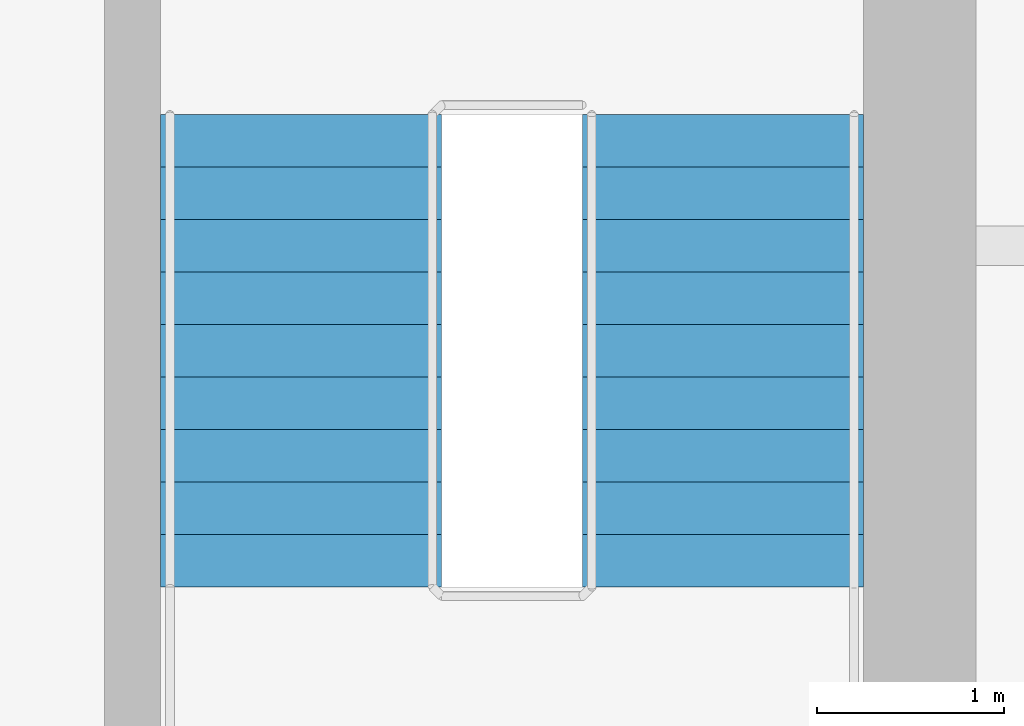
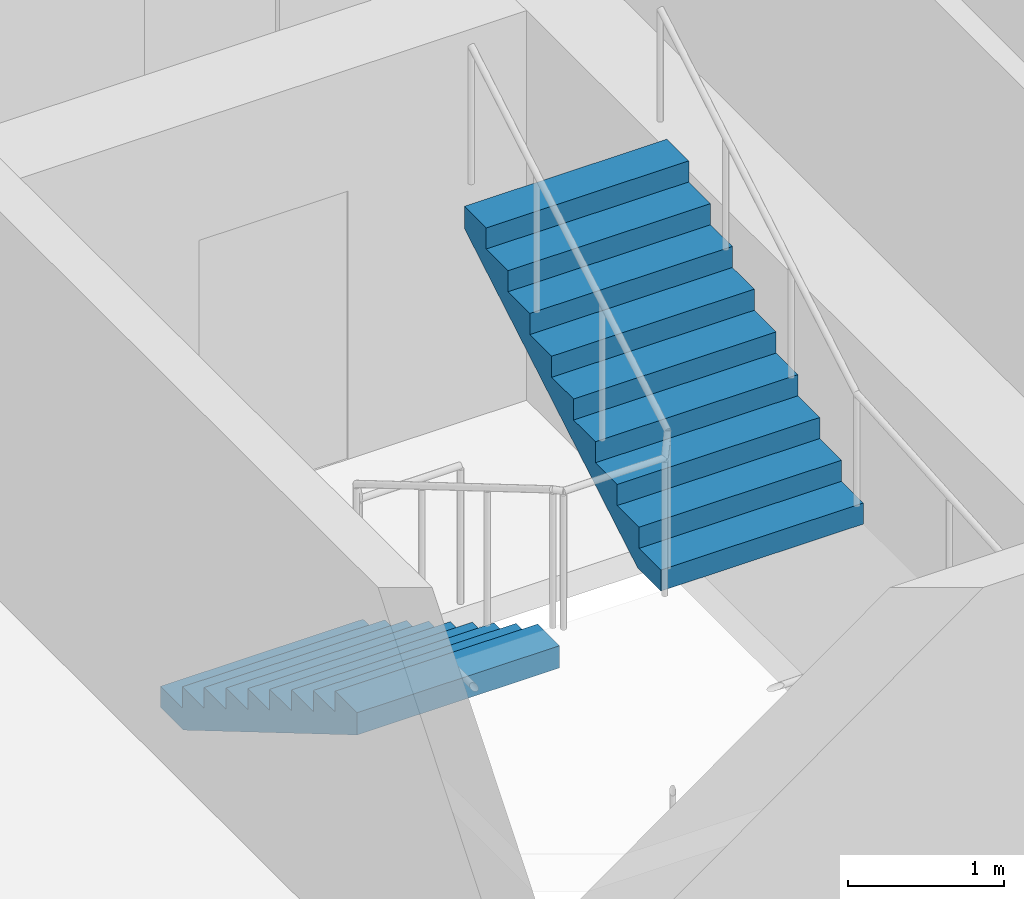
# One storey, part 8 of 11: 2 stair flights, 1 element without a shape of its own.
"""IFC4 building model written with IfcOpenShell, lengths in metres."""

from ifc_helpers import new_model, si_unit, direction, frame, origin, place, context, subcontext, project, spatial, polyline, outline, extrude, material, type_object, element, aggregate, save


model = new_model("IFC4")

# Units and contexts
model_context = context("Model", 3, precision=1e-05, world=origin(), true_north=direction((0.0, 1.0)))
body_context = subcontext(model_context, "Body", "Model", "MODEL_VIEW")
ifc_project = project(units=[si_unit("LENGTHUNIT", "METRE"), si_unit("AREAUNIT", "SQUARE_METRE"), si_unit("VOLUMEUNIT", "CUBIC_METRE"), si_unit("PLANEANGLEUNIT", "RADIAN"), si_unit("MASSUNIT", "GRAM", prefix="KILO")], contexts=[model_context])

# Site, building, storey
site_placement = place(None, origin())
site = spatial("IfcSite", under=ifc_project, at=site_placement, CompositionType="ELEMENT")
building_placement = place(site_placement, origin())
building = spatial("IfcBuilding", under=site, at=building_placement, Name="Amberfall Residences", CompositionType="ELEMENT")
storey_placement = place(building_placement, frame((0.0, 0.0, 223.300048828125)))
storey = spatial("IfcBuildingStorey", under=building, at=storey_placement, Name="L60", CompositionType="ELEMENT", Elevation=223.300048828125)

# Stair, stair flights
ifc_material = material(Name="Concrete C40", Category="concrete")
stair_type = type_object("IfcStairType", Name="Exit stair 20 risers 165.0 mm", PredefinedType="HALF_TURN_STAIR", material=ifc_material)
stair_placement = place(storey_placement, origin())
stair = element("IfcStair", 1, at=stair_placement, inside=storey, type_object=stair_type, Name="L60 Exit stair 3", PredefinedType="HALF_TURN_STAIR")
stair_flight_type = type_object("IfcStairFlightType", Name="Stair flight 10 risers 165.0 mm", PredefinedType="STRAIGHT", material=ifc_material)
stair_flight_1_placement = place(storey_placement, frame((82.89990234375, 55.10009765625, 0.0), z_axis=(0.0, 0.0, 1.0), x_axis=(0.0, -1.0, 0.0)))
stair_flight_1 = element("IfcStairFlight", 2, at=stair_flight_1_placement, type_object=stair_flight_type, Name="ST3 flight 1", NumberOfRisers=10, NumberOfTreads=9, PredefinedType="STRAIGHT", RiserHeight=0.165, TreadLength=0.28, context=body_context, shape_type="SweptSolid", body=[
    extrude(outline(polyline([(0.0, 0.0), (0.0, 0.1650390625), (0.280029296875, 0.1650390625), (0.280029296875, 0.330078125), (0.56005859375, 0.330078125), (0.56005859375, 0.4951171875), (0.840087890625, 0.4951171875), (0.840087890625, 0.659912109375), (1.1201171875, 0.659912109375), (1.1201171875, 0.824951171875), (1.39990234375, 0.824951171875), (1.39990234375, 0.989990234375), (1.679931640625, 0.989990234375), (1.679931640625, 1.155029296875), (1.9599609375, 1.155029296875), (1.9599609375, 1.320068359375), (2.239990234375, 1.320068359375), (2.239990234375, 1.485107421875), (2.52001953125, 1.485107421875), (2.52001953125, 1.64990234375), (2.52001953125, 1.31103515625), (0.295166015625, 0.0), (0.0, 0.0)])), frame((0.0, 0.75, 0.0), z_axis=(0.0, -1.0, 0.0), x_axis=(1.0, 0.0, 0.0)), (0.0, 0.0, 1.0), 1.5),
])
stair_flight_2_placement = place(storey_placement, frame((85.14990234375, 52.580078125, 1.64990234375), z_axis=(0.0, 0.0, 1.0), x_axis=(0.0, 1.0, 0.0)))
stair_flight_2 = element("IfcStairFlight", 3, at=stair_flight_2_placement, type_object=stair_flight_type, Name="ST3 flight 2", NumberOfRisers=10, NumberOfTreads=9, PredefinedType="STRAIGHT", RiserHeight=0.165, TreadLength=0.28, context=body_context, shape_type="SweptSolid", body=[
    extrude(outline(polyline([(0.0, 0.0), (0.0, 0.1650390625), (0.280029296875, 0.1650390625), (0.280029296875, 0.330078125), (0.56005859375, 0.330078125), (0.56005859375, 0.4951171875), (0.840087890625, 0.4951171875), (0.840087890625, 0.659912109375), (1.1201171875, 0.659912109375), (1.1201171875, 0.824951171875), (1.39990234375, 0.824951171875), (1.39990234375, 0.989990234375), (1.679931640625, 0.989990234375), (1.679931640625, 1.155029296875), (1.9599609375, 1.155029296875), (1.9599609375, 1.320068359375), (2.239990234375, 1.320068359375), (2.239990234375, 1.485107421875), (2.52001953125, 1.485107421875), (2.52001953125, 1.64990234375), (2.52001953125, 1.31103515625), (0.295166015625, 0.0), (0.0, 0.0)])), frame((0.0, 0.75, 0.0), z_axis=(0.0, -1.0, 0.0), x_axis=(1.0, 0.0, 0.0)), (0.0, 0.0, 1.0), 1.5),
])
aggregate(stair, [stair_flight_1, stair_flight_2])

save(model, "model.ifc")
